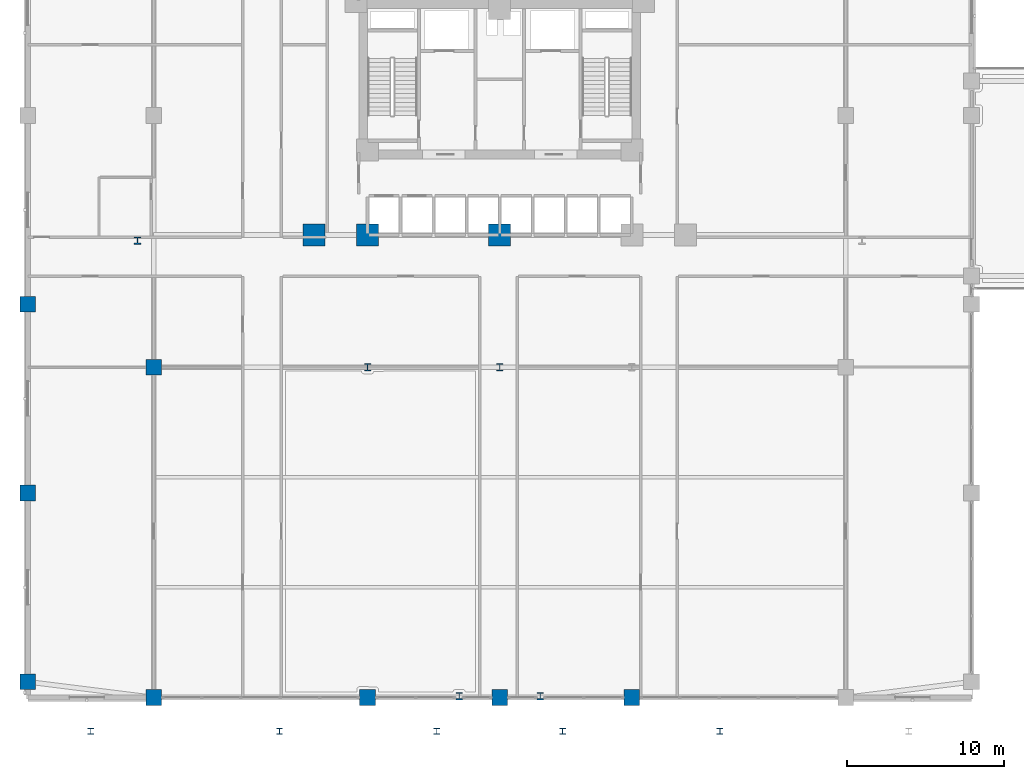
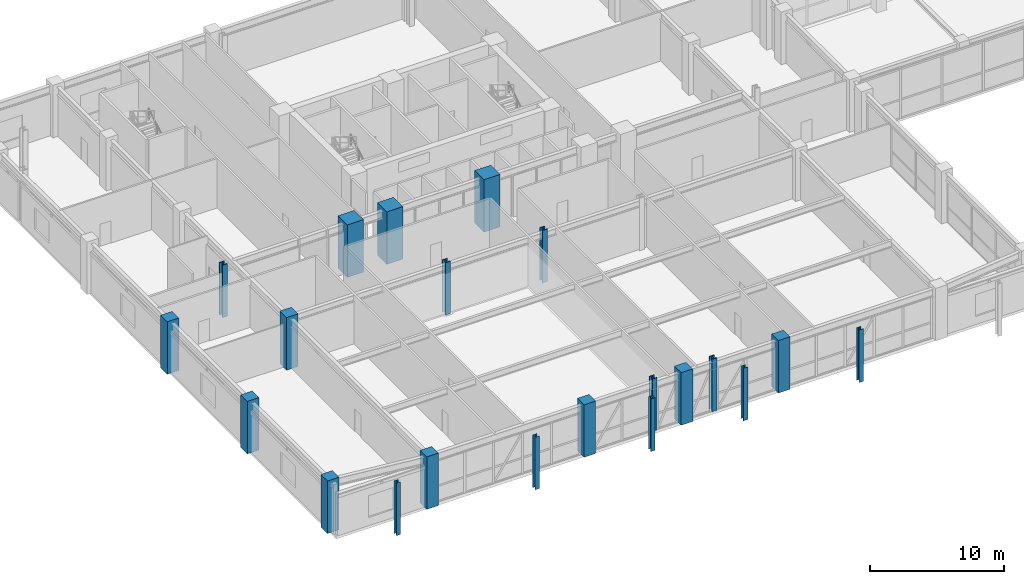
# One storey, part 1 of 48: 21 columns.
"""IFC4 building model written with IfcOpenShell, lengths in metres."""

from ifc_helpers import new_model, si_unit, derived_unit, direction, frame, origin, origin_2d, place, context, subcontext, project, spatial, rectangle, i_section, extrude, source, transform, mapped, material, material_profile, profile_set, type_object, element, save


model = new_model("IFC4")

# Units and contexts
model_context = context("Model", 3, precision=1e-05, world=origin(), true_north=direction((0.0, 1.0)))
body_context = subcontext(model_context, "Body", "Model", "MODEL_VIEW")
ifc_project = project(units=[si_unit("LENGTHUNIT", "METRE"), si_unit("AREAUNIT", "SQUARE_METRE"), si_unit("VOLUMEUNIT", "CUBIC_METRE"), si_unit("PLANEANGLEUNIT", "RADIAN"), si_unit("MASSUNIT", "GRAM", prefix="KILO"), derived_unit("THERMALTRANSMITTANCEUNIT", [(si_unit("POWERUNIT", "WATT"), 1), (si_unit("LENGTHUNIT", "METRE"), -2), (si_unit("THERMODYNAMICTEMPERATUREUNIT", "KELVIN"), -1)])], contexts=[model_context])

# Site, building, storey
site_placement = place(None, origin())
site = spatial("IfcSite", under=ifc_project, at=site_placement, CompositionType="ELEMENT")
building_placement = place(site_placement, origin())
building = spatial("IfcBuilding", under=site, at=building_placement, Name="Korsvarv Bourse and Concert Hall", CompositionType="ELEMENT")
storey_placement = place(building_placement, frame((0.0, 0.0, 4.800048828125)))
storey = spatial("IfcBuildingStorey", under=building, at=storey_placement, Name="L01", CompositionType="ELEMENT", Elevation=4.800048828125)

# Columns
ifc_material_1 = material(Name="Concrete C60/75", Category="concrete")
ifc_material_profile_1 = material_profile(ifc_material_1, rectangle(XDim=1.39990234375, YDim=1.39990234375, at=origin_2d()), Name="RC 1400x1400")
ifc_profile_set_1 = profile_set([ifc_material_profile_1], Name="Concrete C60/75")
column_type_1 = type_object("IfcColumnType", Name="COL-RC1400", PredefinedType="COLUMN", material=ifc_profile_set_1)
shared_shape_1 = source(origin(), body_context, "Body", "SweptSolid", [
    extrude(rectangle(XDim=1.39990234375, YDim=1.39990234375, at=origin_2d()), origin(), (0.0, 0.0, 1.0), 4.800048828125),
])
for number, where, z_axis, x_axis, name in (
    (1, (27.60009765625, 32.39990234375, 0.0), (0.0, 0.0, 1.0), (1.0, 0.0, 0.0), "L01 column C-01"),
    (2, (36.0, 32.39990234375, 0.0), (0.0, 0.0, 1.0), (1.0, 0.0, 0.0), "L01 column C-01"),
    (3, (24.199951171875, 32.39990234375, 0.0), (0.0, 0.0, 1.0), (1.0, 0.0, 0.0), "L01 column C-01"),
):
    element("IfcColumn", number, at=place(storey_placement, frame(where, z_axis=z_axis, x_axis=x_axis)), inside=storey, type_object=column_type_1, Name=name, PredefinedType="COLUMN", context=body_context, shape_type="MappedRepresentation", body=[
        mapped(shared_shape_1, transform((0.0, 0.0, 0.0), scale=1.0)),
    ])
ifc_material_2 = material(Name="Steel S460", Category="steel")
ifc_material_profile_2 = material_profile(ifc_material_2, i_section(OverallWidth=0.424072265625, OverallDepth=0.47412109375, WebThickness=0.044921875, FlangeThickness=0.072021484375, FilletRadius=0.014892578125, at=origin_2d()), Name="HD 400x634")
ifc_profile_set_2 = profile_set([ifc_material_profile_2], Name="Steel S460")
column_type_2 = type_object("IfcColumnType", Name="COL-HD634", PredefinedType="COLUMN", material=ifc_profile_set_2)
shared_shape_2 = source(origin(), body_context, "Body", "SweptSolid", [
    extrude(i_section(OverallWidth=0.424072265625, OverallDepth=0.47412109375, WebThickness=0.044921875, FlangeThickness=0.072021484375, FilletRadius=0.014892578125, at=origin_2d()), origin(), (0.0, 0.0, 1.0), 4.800048828125),
])
for number, where, z_axis, x_axis, name in (
    (4, (27.60009765625, 24.0, 0.0), (0.0, 0.0, 1.0), (1.0, 0.0, 0.0), "L01 column C-07"),
    (5, (36.0, 24.0, 0.0), (0.0, 0.0, 1.0), (1.0, 0.0, 0.0), "L01 column C-07"),
    (6, (12.970458984375, 32.05419921875, 0.0), (0.0, 0.0, 1.0), (1.0, 0.0, 0.0), "L01 column C-07"),
    (7, (33.418212890625, 3.09375, 0.0), (0.0, 0.0, 1.0), (1.0, 0.0, 0.0), "L01 column C-07"),
    (8, (38.581787109375, 3.09375, 0.0), (0.0, 0.0, 1.0), (1.0, 0.0, 0.0), "L01 column C-07"),
):
    element("IfcColumn", number, at=place(storey_placement, frame(where, z_axis=z_axis, x_axis=x_axis)), inside=storey, type_object=column_type_2, Name=name, PredefinedType="COLUMN", context=body_context, shape_type="MappedRepresentation", body=[
        mapped(shared_shape_2, transform((0.0, 0.0, 0.0), scale=1.0)),
    ])
ifc_material_3 = material(Name="Concrete C55/67", Category="concrete")
ifc_material_profile_3 = material_profile(ifc_material_3, rectangle(XDim=1.0, YDim=1.0, at=origin_2d()), Name="RC 1000x1000")
ifc_profile_set_3 = profile_set([ifc_material_profile_3], Name="Concrete C55/67")
column_type_3 = type_object("IfcColumnType", Name="COL-RC1000", PredefinedType="COLUMN", material=ifc_profile_set_3)
shared_shape_3 = source(origin(), body_context, "Body", "SweptSolid", [
    extrude(rectangle(XDim=1.0, YDim=1.0, at=origin_2d()), origin(), (0.0, 0.0, 1.0), 4.800048828125),
])
for number, where, z_axis, x_axis, name in (
    (9, (6.0, 4.0, 0.0), (0.0, 0.0, 1.0), (1.0, 0.0, 0.0), "L01 column C-03"),
    (10, (6.0, 16.0, 0.0), (0.0, 0.0, 1.0), (1.0, 0.0, 0.0), "L01 column C-03"),
    (11, (6.0, 28.0, 0.0), (0.0, 0.0, 1.0), (1.0, 0.0, 0.0), "L01 column C-03"),
    (12, (14.0, 3.0, 0.0), (0.0, 0.0, 1.0), (1.0, 0.0, 0.0), "L01 column C-03"),
    (13, (27.60009765625, 3.0, 0.0), (0.0, 0.0, 1.0), (1.0, 0.0, 0.0), "L01 column C-03"),
    (14, (36.0, 3.0, 0.0), (0.0, 0.0, 1.0), (1.0, 0.0, 0.0), "L01 column C-03"),
    (15, (44.39990234375, 3.0, 0.0), (0.0, 0.0, 1.0), (1.0, 0.0, 0.0), "L01 column C-03"),
    (16, (14.0, 24.0, 0.0), (0.0, 0.0, 1.0), (1.0, 0.0, 0.0), "L01 column C-03"),
):
    element("IfcColumn", number, at=place(storey_placement, frame(where, z_axis=z_axis, x_axis=x_axis)), inside=storey, type_object=column_type_3, Name=name, PredefinedType="COLUMN", context=body_context, shape_type="MappedRepresentation", body=[
        mapped(shared_shape_3, transform((0.0, 0.0, 0.0), scale=1.0)),
    ])
ifc_material_4 = material(Name="Steel S355", Category="steel")
ifc_material_profile_4 = material_profile(ifc_material_4, i_section(OverallWidth=0.3740234375, OverallDepth=0.3798828125, WebThickness=0.01953125, FlangeThickness=0.031005859375, FilletRadius=0.014892578125, at=origin_2d()), Name="HD 360x262")
ifc_profile_set_4 = profile_set([ifc_material_profile_4], Name="Steel S355")
column_type_4 = type_object("IfcColumnType", Name="COL-PIL360", PredefinedType="PILASTER", material=ifc_profile_set_4)
shared_shape_4 = source(origin(), body_context, "Body", "SweptSolid", [
    extrude(i_section(OverallWidth=0.3740234375, OverallDepth=0.3798828125, WebThickness=0.01953125, FlangeThickness=0.031005859375, FilletRadius=0.014892578125, at=origin_2d()), origin(), (0.0, 0.0, 1.0), 4.800048828125),
])
for number, where, z_axis, x_axis, name in (
    (17, (10.0, 0.85009765625, 0.0), (0.0, 0.0, 1.0), (1.0, 0.0, 0.0), "L01 column C-12"),
    (18, (22.0, 0.85009765625, 0.0), (0.0, 0.0, 1.0), (1.0, 0.0, 0.0), "L01 column C-12"),
    (19, (32.0, 0.85009765625, 0.0), (0.0, 0.0, 1.0), (1.0, 0.0, 0.0), "L01 column C-12"),
    (20, (40.0, 0.85009765625, 0.0), (0.0, 0.0, 1.0), (1.0, 0.0, 0.0), "L01 column C-12"),
    (21, (50.0, 0.85009765625, 0.0), (0.0, 0.0, 1.0), (1.0, 0.0, 0.0), "L01 column C-12"),
):
    element("IfcColumn", number, at=place(storey_placement, frame(where, z_axis=z_axis, x_axis=x_axis)), inside=storey, type_object=column_type_4, Name=name, PredefinedType="PILASTER", context=body_context, shape_type="MappedRepresentation", body=[
        mapped(shared_shape_4, transform((0.0, 0.0, 0.0), scale=1.0)),
    ])

save(model, "model.ifc")
